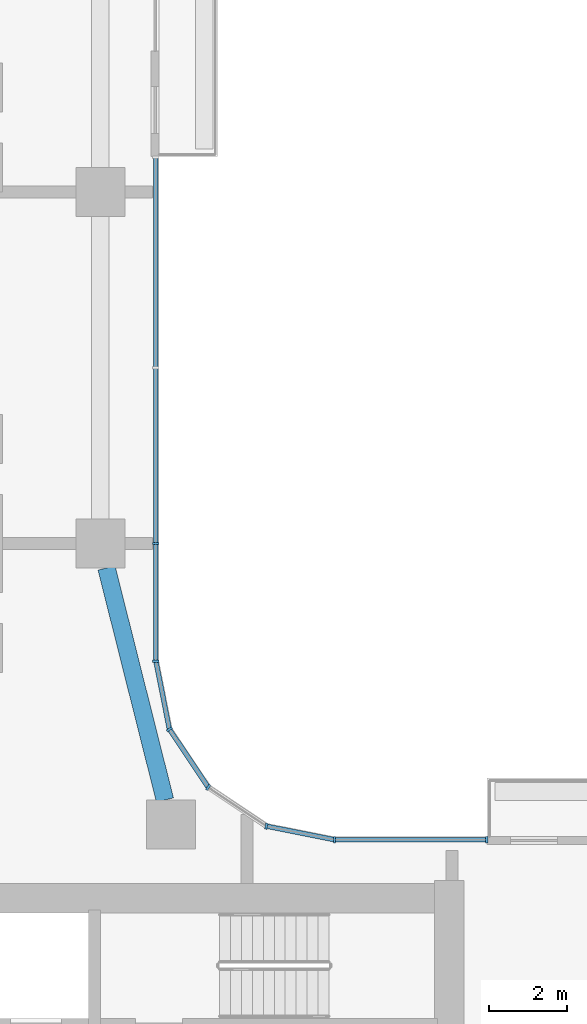
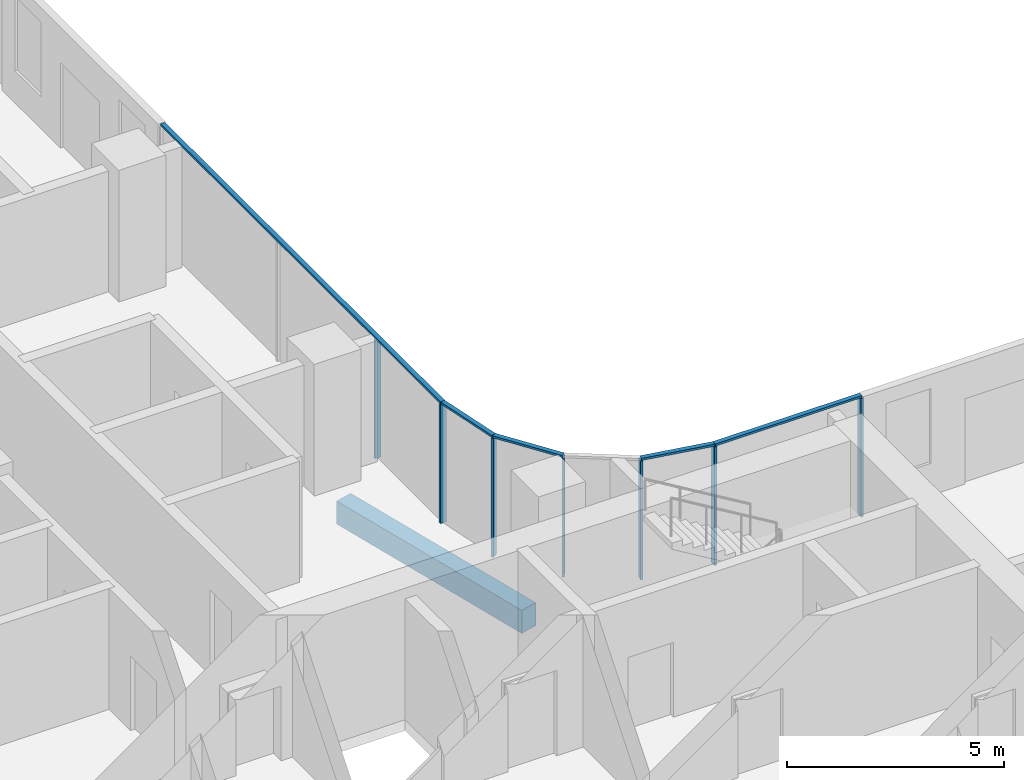
# One storey, part 2 of 21: 12 members, 1 beam, 3 elements without a shape of their own.
"""IFC4 building model written with IfcOpenShell, lengths in metres."""

from ifc_helpers import new_model, si_unit, direction, frame, origin, origin_2d, place, context, subcontext, project, spatial, rectangle, extrude, material, material_profile, profile_set, type_object, element, aggregate, save


model = new_model("IFC4")

# Units and contexts
model_context = context("Model", 3, precision=1e-05, world=origin(), true_north=direction((0.0, 1.0)))
body_context = subcontext(model_context, "Body", "Model", "MODEL_VIEW")
ifc_project = project(units=[si_unit("LENGTHUNIT", "METRE"), si_unit("AREAUNIT", "SQUARE_METRE"), si_unit("VOLUMEUNIT", "CUBIC_METRE"), si_unit("PLANEANGLEUNIT", "RADIAN"), si_unit("MASSUNIT", "GRAM", prefix="KILO")], contexts=[model_context])

# Site, building, storey
site_placement = place(None, origin())
site = spatial("IfcSite", under=ifc_project, at=site_placement, CompositionType="ELEMENT")
building_placement = place(site_placement, origin())
building = spatial("IfcBuilding", under=site, at=building_placement, Name="Ogive Portal Towers", CompositionType="ELEMENT")
storey_placement = place(building_placement, frame((0.0, 0.0, 109.300048828125)))
storey = spatial("IfcBuildingStorey", under=building, at=storey_placement, Name="L26", CompositionType="ELEMENT", Elevation=109.300048828125)

# Curtain wall, members
ifc_material_1 = material(Name="Glass, clear low-iron insulated glazing", Category="glass")
curtain_wall_type = type_object("IfcCurtainWallType", Name="CW FRONT RIBBON 4500", PredefinedType="NOTDEFINED", material=ifc_material_1)
curtain_wall_1_placement = place(storey_placement, origin())
curtain_wall_1 = element("IfcCurtainWall", 1, at=curtain_wall_1_placement, inside=storey, type_object=curtain_wall_type, Name="A:L26:f12:cw2", PredefinedType="NOTDEFINED")
ifc_material_2 = material(Name="Aluminium 6063 anodised", Category="aluminium")
ifc_material_profile_1 = material_profile(ifc_material_2, rectangle(XDim=0.159912109375, YDim=0.06005859375, at=origin_2d()), Name="AL 60x160")
ifc_profile_set_1 = profile_set([ifc_material_profile_1], Name="Aluminium 6063 anodised")
member_type_1 = type_object("IfcMemberType", Name="CW MULLION 60x160", PredefinedType="MULLION", material=ifc_profile_set_1)
member_1_placement = place(storey_placement, frame((59.390869140625, 40.919921875, 0.0), z_axis=(0.0, 0.0, 1.0), x_axis=(0.0, -1.0, 0.0)))
member_1 = element("IfcMember", 2, at=member_1_placement, type_object=member_type_1, Name="mullion", PredefinedType="MULLION", context=body_context, shape_type="SweptSolid", body=[
    extrude(rectangle(XDim=0.159912109375, YDim=0.06005859375, at=origin_2d()), origin(), (0.0, 0.0, 1.0), 3.33984375),
])
member_2_placement = place(storey_placement, frame((55.4921875, 40.919921875, 0.0), z_axis=(0.0, 0.0, 1.0), x_axis=(0.0, -1.0, 0.0)))
member_2 = element("IfcMember", 3, at=member_2_placement, type_object=member_type_1, Name="mullion", PredefinedType="MULLION", context=body_context, shape_type="SweptSolid", body=[
    extrude(rectangle(XDim=0.159912109375, YDim=0.06005859375, at=origin_2d()), origin(), (0.0, 0.0, 1.0), 3.33984375),
])

curtain_wall_2_placement = place(storey_placement, origin())
curtain_wall_2 = element("IfcCurtainWall", 4, at=curtain_wall_2_placement, inside=storey, type_object=curtain_wall_type, Name="A:L26:f17:cw0", PredefinedType="NOTDEFINED")
member_3_placement = place(storey_placement, frame((50.919921875, 45.4921875, 0.0), z_axis=(0.0, 0.0, 1.0), x_axis=(-1.0, 0.0, 0.0)))
member_3 = element("IfcMember", 5, at=member_3_placement, type_object=member_type_1, Name="mullion", PredefinedType="MULLION", context=body_context, shape_type="SweptSolid", body=[
    extrude(rectangle(XDim=0.159912109375, YDim=0.06005859375, at=origin_2d()), origin(), (0.0, 0.0, 1.0), 3.33984375),
])
member_4_placement = place(storey_placement, frame((50.919921875, 48.5, 0.0), z_axis=(0.0, 0.0, 1.0), x_axis=(-1.0, 0.0, 0.0)))
member_4 = element("IfcMember", 6, at=member_4_placement, type_object=member_type_1, Name="mullion", PredefinedType="MULLION", context=body_context, shape_type="SweptSolid", body=[
    extrude(rectangle(XDim=0.159912109375, YDim=0.06005859375, at=origin_2d()), origin(), (0.0, 0.0, 1.0), 3.33984375),
])

curtain_wall_3_placement = place(storey_placement, origin())
curtain_wall_3 = element("IfcCurtainWall", 7, at=curtain_wall_3_placement, inside=storey, type_object=curtain_wall_type, Name="A:L26:f13:cwa", PredefinedType="NOTDEFINED")
member_5_placement = place(storey_placement, frame((53.746826171875, 41.26708984375, 0.0), z_axis=(0.0, 0.0, 1.0), x_axis=(-0.195090322016, -0.980785280403, 0.0)))
member_5 = element("IfcMember", 8, at=member_5_placement, type_object=member_type_1, Name="mullion", PredefinedType="MULLION", context=body_context, shape_type="SweptSolid", body=[
    extrude(rectangle(XDim=0.159912109375, YDim=0.06005859375, at=origin_2d()), origin(), (0.0, 0.0, 1.0), 3.33984375),
])
member_6_placement = place(storey_placement, frame((52.26025390625, 42.26025390625, 0.0), z_axis=(0.0, 0.0, 1.0), x_axis=(-0.55557023302, -0.831469612303, 0.0)))
member_6 = element("IfcMember", 9, at=member_6_placement, type_object=member_type_1, Name="mullion", PredefinedType="MULLION", context=body_context, shape_type="SweptSolid", body=[
    extrude(rectangle(XDim=0.159912109375, YDim=0.06005859375, at=origin_2d()), origin(), (0.0, 0.0, 1.0), 3.33984375),
])
member_7_placement = place(storey_placement, frame((51.26708984375, 43.746826171875, 0.0), z_axis=(0.0, 0.0, 1.0), x_axis=(-0.831469612303, -0.55557023302, 0.0)))
member_7 = element("IfcMember", 10, at=member_7_placement, type_object=member_type_1, Name="mullion", PredefinedType="MULLION", context=body_context, shape_type="SweptSolid", body=[
    extrude(rectangle(XDim=0.159912109375, YDim=0.06005859375, at=origin_2d()), origin(), (0.0, 0.0, 1.0), 3.33984375),
])

# Member
ifc_material_profile_2 = material_profile(ifc_material_2, rectangle(XDim=0.1201171875, YDim=0.06005859375, at=origin_2d()), Name="AL 120x60")
ifc_profile_set_2 = profile_set([ifc_material_profile_2], Name="Aluminium 6063 anodised")
member_type_2 = type_object("IfcMemberType", Name="CW TRANSOM 60x120", PredefinedType="USERDEFINED", material=ifc_profile_set_2)
member_8_placement = place(storey_placement, frame((59.390869140625, 40.919921875, 3.369873046875), z_axis=(-1.0, 0.0, 0.0), x_axis=(0.0, -1.0, 0.0)))
member_8 = element("IfcMember", 11, at=member_8_placement, type_object=member_type_2, Name="transom", ObjectType="TRANSOM", PredefinedType="USERDEFINED", context=body_context, shape_type="SweptSolid", body=[
    extrude(rectangle(XDim=0.1201171875, YDim=0.06005859375, at=origin_2d()), origin(), (0.0, 0.0, 1.0), 3.898681640625),
])

aggregate(curtain_wall_1, [member_8, member_1, member_2])

member_9_placement = place(storey_placement, frame((50.919921875, 45.4921875, 3.369873046875), z_axis=(0.0, 1.0, 0.0), x_axis=(-1.0, 0.0, 0.0)))
member_9 = element("IfcMember", 12, at=member_9_placement, type_object=member_type_2, Name="transom", ObjectType="TRANSOM", PredefinedType="USERDEFINED", context=body_context, shape_type="SweptSolid", body=[
    extrude(rectangle(XDim=0.1201171875, YDim=0.06005859375, at=origin_2d()), origin(), (0.0, 0.0, 1.0), 12.8974609375),
])

aggregate(curtain_wall_2, [member_9, member_3, member_4])

member_10_placement = place(storey_placement, frame((55.4921875, 40.919921875, 3.369873046875), z_axis=(-0.980785923915, 0.195087086838, 0.0), x_axis=(-0.195087086838, -0.980785923915, 0.0)))
member_10 = element("IfcMember", 13, at=member_10_placement, type_object=member_type_2, Name="transom", ObjectType="TRANSOM", PredefinedType="USERDEFINED", context=body_context, shape_type="SweptSolid", body=[
    extrude(rectangle(XDim=0.1201171875, YDim=0.06005859375, at=origin_2d()), origin(), (0.0, 0.0, 1.0), 1.779541015625),
])

member_11_placement = place(storey_placement, frame((52.26025390625, 42.26025390625, 3.369873046875), z_axis=(-0.555519277244, 0.831503657605, 0.0), x_axis=(-0.831503657605, -0.555519277244, 0.0)))
member_11 = element("IfcMember", 14, at=member_11_placement, type_object=member_type_2, Name="transom", ObjectType="TRANSOM", PredefinedType="USERDEFINED", context=body_context, shape_type="SweptSolid", body=[
    extrude(rectangle(XDim=0.1201171875, YDim=0.06005859375, at=origin_2d()), origin(), (0.0, 0.0, 1.0), 1.787841796875),
])

member_12_placement = place(storey_placement, frame((51.26708984375, 43.746826171875, 3.369873046875), z_axis=(-0.195087086838, 0.980785923915, 0.0), x_axis=(-0.980785923915, -0.195087086838, 0.0)))
member_12 = element("IfcMember", 15, at=member_12_placement, type_object=member_type_2, Name="transom", ObjectType="TRANSOM", PredefinedType="USERDEFINED", context=body_context, shape_type="SweptSolid", body=[
    extrude(rectangle(XDim=0.1201171875, YDim=0.06005859375, at=origin_2d()), origin(), (0.0, 0.0, 1.0), 1.779541015625),
])

aggregate(curtain_wall_3, [member_10, member_11, member_12, member_5, member_6, member_7])

# Beam
ifc_material_3 = material(Name="Concrete C50/60", Category="concrete")
ifc_material_profile_3 = material_profile(ifc_material_3, rectangle(XDim=0.449951171875, YDim=0.64990234375, at=origin_2d()), Name="RC 450x650")
ifc_profile_set_3 = profile_set([ifc_material_profile_3], Name="Concrete C50/60")
beam_type = type_object("IfcBeamType", Name="SPANDREL BEAM RC 450x650", PredefinedType="BEAM", material=ifc_profile_set_3)
beam_placement = place(storey_placement, frame((49.6572265625, 47.875, -0.625), z_axis=(0.24412961337, -0.969742611148, 0.0), x_axis=(0.969742611148, 0.24412961337, 0.0)))
element("IfcBeam", 16, at=beam_placement, inside=storey, type_object=beam_type, Name="Spandrel beam L26", PredefinedType="BEAM", context=body_context, shape_type="SweptSolid", body=[
    extrude(rectangle(XDim=0.449951171875, YDim=0.64990234375, at=origin_2d()), origin(), (0.0, 0.0, 1.0), 6.125244140625),
])

save(model, "model.ifc")
